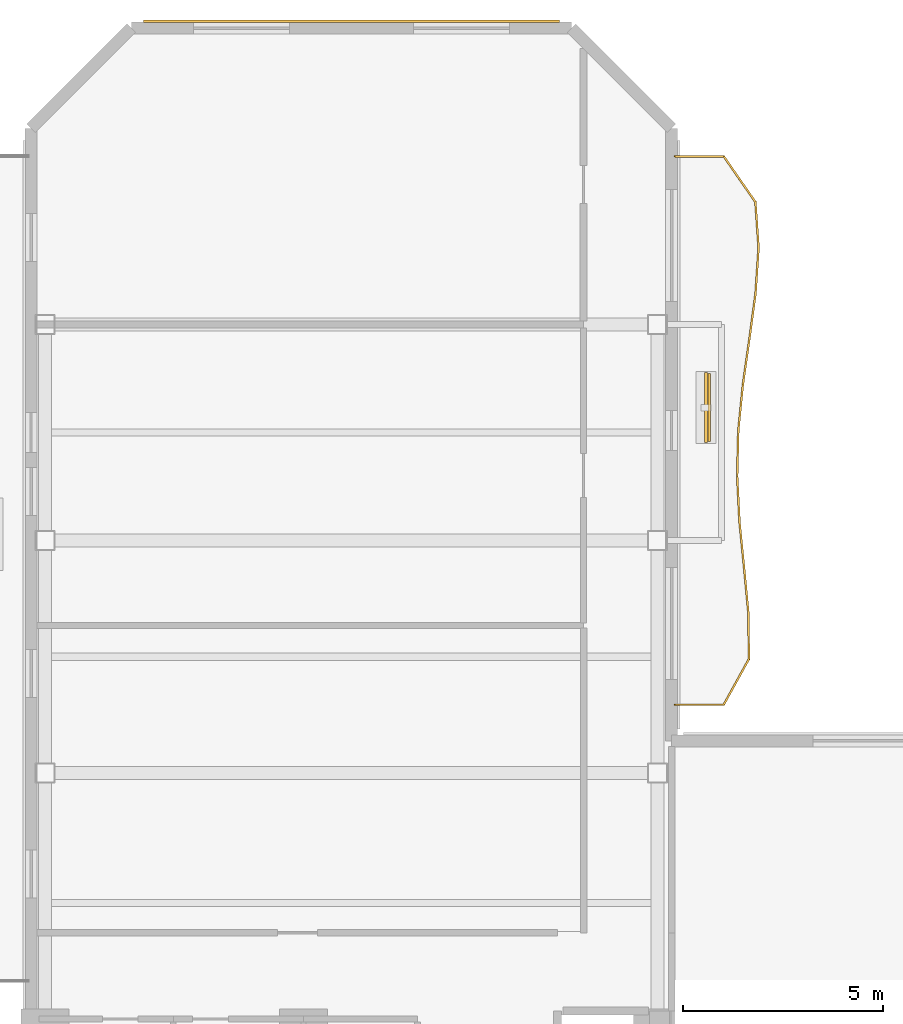
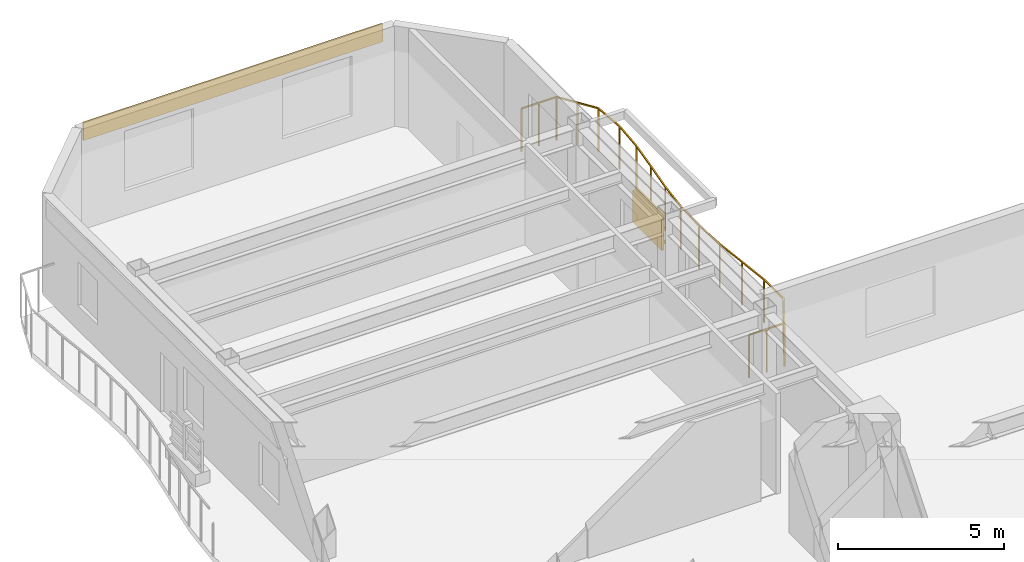
# One storey, part 11 of 11: 4 shading devices, 1 covering, 1 railing.
"""IFC4 building model written with IfcOpenShell, lengths in metres."""

from ifc_helpers import new_model, si_unit, direction, frame, origin, origin_2d, place, context, subcontext, project, spatial, rectangle, extrude, material, layer, layer_set, material_profile, profile_set, type_object, element, save


model = new_model("IFC4")

# Units and contexts
model_context = context("Model", 3, precision=1e-05, world=origin(), true_north=direction((0.0, 1.0)))
body_context = subcontext(model_context, "Body", "Model", "MODEL_VIEW")
ifc_project = project(units=[si_unit("LENGTHUNIT", "METRE"), si_unit("AREAUNIT", "SQUARE_METRE"), si_unit("VOLUMEUNIT", "CUBIC_METRE"), si_unit("PLANEANGLEUNIT", "RADIAN"), si_unit("MASSUNIT", "GRAM", prefix="KILO")], contexts=[model_context])

# Site, building, storey
site_placement = place(None, origin())
site = spatial("IfcSite", under=ifc_project, at=site_placement, CompositionType="ELEMENT")
building_placement = place(site_placement, origin())
building = spatial("IfcBuilding", under=site, at=building_placement, Name="Mawjaban Terraces University", CompositionType="ELEMENT")
storey_placement = place(building_placement, frame((0.0, 0.0, 103.39990234375)))
storey = spatial("IfcBuildingStorey", under=building, at=storey_placement, Name="L24", CompositionType="ELEMENT", Elevation=103.39990234375)

# Railing
ifc_material_1 = material(Name="Galvanised powder-coated steel S355", Category="steel")
railing_type = type_object("IfcRailingType", Name="BalconyBalustrade_1600", PredefinedType="BALUSTRADE", material=ifc_material_1)
railing_placement = place(storey_placement, frame((38.080078125, 31.699951171875, 0.0)))
element("IfcRailing", 1, at=railing_placement, inside=storey, type_object=railing_type, Name="L24 Balcony Guardrail inner_east", PredefinedType="BALUSTRADE", context=body_context, shape_type="SweptSolid", body=[
    extrude(rectangle(XDim=0.048095703125, YDim=0.048095703125, at=origin_2d()), frame((0.0, 0.0, 1.576171875), z_axis=(1.0, 0.0, 0.0), x_axis=(0.0, 1.0, 0.0)), (0.0, 0.0, 1.0), 1.219970703125),
    extrude(rectangle(XDim=0.048095703125, YDim=0.048095703125, at=origin_2d()), frame((1.219970703125, 0.0, 1.576171875), z_axis=(0.482938781998, 0.875654117127, 0.0), x_axis=(-0.875654117127, 0.482938781998, 0.0)), (0.0, 0.0, 1.0), 1.30419921875),
    extrude(rectangle(XDim=0.048095703125, YDim=0.048095703125, at=origin_2d()), frame((1.849853515625, 1.14208984375, 1.576171875), z_axis=(-0.010485192898, 0.999945028854, 0.0), x_axis=(-0.999945028854, -0.010485192898, 0.0)), (0.0, 0.0, 1.0), 1.140869140625),
    extrude(rectangle(XDim=0.048095703125, YDim=0.048095703125, at=origin_2d()), frame((1.837890625, 2.282958984375, 1.576171875), z_axis=(-0.094909515374, 0.995485903412, 0.0), x_axis=(-0.995485903412, -0.094909515374, 0.0)), (0.0, 0.0, 1.0), 1.147216796875),
    extrude(rectangle(XDim=0.048095703125, YDim=0.048095703125, at=origin_2d()), frame((1.72900390625, 3.425048828125, 1.576171875), z_axis=(-0.099335234994, 0.995054024206, 0.0), x_axis=(-0.995054024206, -0.099335234994, 0.0)), (0.0, 0.0, 1.0), 1.147705078125),
    extrude(rectangle(XDim=0.048095703125, YDim=0.048095703125, at=origin_2d()), frame((1.614990234375, 4.567138671875, 1.576171875), z_axis=(-0.050864951562, 0.998705540539, 0.0), x_axis=(-0.998705540539, -0.050864951562, 0.0)), (0.0, 0.0, 1.0), 1.142333984375),
    extrude(rectangle(XDim=0.048095703125, YDim=0.048095703125, at=origin_2d()), frame((1.556884765625, 5.7080078125, 1.576171875), z_axis=(0.024575730372, 0.999697971128, 0.0), x_axis=(-0.999697971128, 0.024575730372, 0.0)), (0.0, 0.0, 1.0), 1.142333984375),
    extrude(rectangle(XDim=0.048095703125, YDim=0.048095703125, at=origin_2d()), frame((1.5849609375, 6.85009765625, 1.576171875), z_axis=(0.099356264444, 0.995051924633, 0.0), x_axis=(-0.995051924633, 0.099356264444, 0.0)), (0.0, 0.0, 1.0), 1.1474609375),
    extrude(rectangle(XDim=0.048095703125, YDim=0.048095703125, at=origin_2d()), frame((1.698974609375, 7.991943359375, 1.576171875), z_axis=(0.141273092036, 0.989970662932, 0.0), x_axis=(-0.989970662932, 0.141273092036, 0.0)), (0.0, 0.0, 1.0), 1.152587890625),
    extrude(rectangle(XDim=0.048095703125, YDim=0.048095703125, at=origin_2d()), frame((1.86181640625, 9.133056640625, 1.576171875), z_axis=(0.133676105636, 0.991025074749, 0.0), x_axis=(-0.991025074749, 0.133676105636, 0.0)), (0.0, 0.0, 1.0), 1.15234375),
    extrude(rectangle(XDim=0.048095703125, YDim=0.048095703125, at=origin_2d()), frame((2.015869140625, 10.275146484375, 1.576171875), z_axis=(0.06656148929, 0.997782325031, 0.0), x_axis=(-0.997782325031, 0.06656148929, 0.0)), (0.0, 0.0, 1.0), 1.144287109375),
    extrude(rectangle(XDim=0.048095703125, YDim=0.048095703125, at=origin_2d()), frame((2.092041015625, 11.4169921875, 1.576171875), z_axis=(-0.070003281481, 0.9975467611, 0.0), x_axis=(-0.9975467611, -0.070003281481, 0.0)), (0.0, 0.0, 1.0), 1.143798828125),
    extrude(rectangle(XDim=0.048095703125, YDim=0.048095703125, at=origin_2d()), frame((2.011962890625, 12.55810546875, 1.576171875), z_axis=(-0.569931485344, 0.821692218543, 0.0), x_axis=(-0.821692218543, -0.569931485344, 0.0)), (0.0, 0.0, 1.0), 1.3896484375),
    extrude(rectangle(XDim=0.048095703125, YDim=0.048095703125, at=origin_2d()), frame((1.219970703125, 13.699951171875, 1.576171875), z_axis=(-1.0, 0.0, 0.0), x_axis=(0.0, -1.0, 0.0)), (0.0, 0.0, 1.0), 1.219970703125),
    extrude(rectangle(XDim=0.0419921875, YDim=0.0419921875, at=origin_2d()), origin(), (0.0, 0.0, 1.0), 1.552001953125),
    extrude(rectangle(XDim=0.0419921875, YDim=0.0419921875, at=origin_2d()), frame((0.60986328125, 0.0, 0.0)), (0.0, 0.0, 1.0), 1.552001953125),
    extrude(rectangle(XDim=0.0419921875, YDim=0.0419921875, at=origin_2d()), frame((1.219970703125, 0.0, 0.0)), (0.0, 0.0, 1.0), 1.552001953125),
    extrude(rectangle(XDim=0.0419921875, YDim=0.0419921875, at=origin_2d()), frame((1.534912109375, 0.571044921875, 0.0)), (0.0, 0.0, 1.0), 1.552001953125),
    extrude(rectangle(XDim=0.0419921875, YDim=0.0419921875, at=origin_2d()), frame((1.849853515625, 1.14208984375, 0.0)), (0.0, 0.0, 1.0), 1.552001953125),
    extrude(rectangle(XDim=0.0419921875, YDim=0.0419921875, at=origin_2d()), frame((1.837890625, 2.282958984375, 0.0)), (0.0, 0.0, 1.0), 1.552001953125),
    extrude(rectangle(XDim=0.0419921875, YDim=0.0419921875, at=origin_2d()), frame((1.72900390625, 3.425048828125, 0.0)), (0.0, 0.0, 1.0), 1.552001953125),
    extrude(rectangle(XDim=0.0419921875, YDim=0.0419921875, at=origin_2d()), frame((1.614990234375, 4.567138671875, 0.0)), (0.0, 0.0, 1.0), 1.552001953125),
    extrude(rectangle(XDim=0.0419921875, YDim=0.0419921875, at=origin_2d()), frame((1.556884765625, 5.7080078125, 0.0)), (0.0, 0.0, 1.0), 1.552001953125),
    extrude(rectangle(XDim=0.0419921875, YDim=0.0419921875, at=origin_2d()), frame((1.5849609375, 6.85009765625, 0.0)), (0.0, 0.0, 1.0), 1.552001953125),
    extrude(rectangle(XDim=0.0419921875, YDim=0.0419921875, at=origin_2d()), frame((1.698974609375, 7.991943359375, 0.0)), (0.0, 0.0, 1.0), 1.552001953125),
    extrude(rectangle(XDim=0.0419921875, YDim=0.0419921875, at=origin_2d()), frame((1.86181640625, 9.133056640625, 0.0)), (0.0, 0.0, 1.0), 1.552001953125),
    extrude(rectangle(XDim=0.0419921875, YDim=0.0419921875, at=origin_2d()), frame((2.015869140625, 10.275146484375, 0.0)), (0.0, 0.0, 1.0), 1.552001953125),
    extrude(rectangle(XDim=0.0419921875, YDim=0.0419921875, at=origin_2d()), frame((2.092041015625, 11.4169921875, 0.0)), (0.0, 0.0, 1.0), 1.552001953125),
    extrude(rectangle(XDim=0.0419921875, YDim=0.0419921875, at=origin_2d()), frame((2.011962890625, 12.55810546875, 0.0)), (0.0, 0.0, 1.0), 1.552001953125),
    extrude(rectangle(XDim=0.0419921875, YDim=0.0419921875, at=origin_2d()), frame((1.615966796875, 13.12890625, 0.0)), (0.0, 0.0, 1.0), 1.552001953125),
    extrude(rectangle(XDim=0.0419921875, YDim=0.0419921875, at=origin_2d()), frame((1.219970703125, 13.699951171875, 0.0)), (0.0, 0.0, 1.0), 1.552001953125),
    extrude(rectangle(XDim=0.0419921875, YDim=0.0419921875, at=origin_2d()), frame((0.60986328125, 13.699951171875, 0.0)), (0.0, 0.0, 1.0), 1.552001953125),
    extrude(rectangle(XDim=0.0419921875, YDim=0.0419921875, at=origin_2d()), frame((0.0, 13.699951171875, 0.0)), (0.0, 0.0, 1.0), 1.552001953125),
])

# Shading devices
ifc_material_2 = material(Name="Glazed architectural terracotta ceramic", Category="masonry")
ifc_material_profile = material_profile(ifc_material_2, rectangle(XDim=0.06494140625, YDim=0.110107421875, at=origin_2d()), Name="TBAG110X65")
ifc_profile_set = profile_set([ifc_material_profile], Name="Glazed architectural terracotta ceramic")
shading_device_type_1 = type_object("IfcShadingDeviceType", Name="TerracottaBaguette_110x65", PredefinedType="USERDEFINED", material=ifc_profile_set)
for number, where, z_axis, x_axis, name in (
    (2, (38.94091796875, 38.27099609375, 0.68017578125), (0.0, 1.0, 0.0), (-1.0, 0.0, 0.0), "L24 Horizontal Terracotta Baguette inner_east.1"),
    (3, (38.94091796875, 38.27099609375, 1.150146484375), (0.0, 1.0, 0.0), (-1.0, 0.0, 0.0), "L24 Horizontal Terracotta Baguette inner_east.2"),
    (4, (38.94091796875, 38.27099609375, 1.6201171875), (0.0, 1.0, 0.0), (-1.0, 0.0, 0.0), "L24 Horizontal Terracotta Baguette inner_east.3"),
):
    element("IfcShadingDevice", number, at=place(storey_placement, frame(where, z_axis=z_axis, x_axis=x_axis)), inside=storey, type_object=shading_device_type_1, Name=name, ObjectType="BAGUETTE", PredefinedType="USERDEFINED", context=body_context, shape_type="SweptSolid", body=[
        extrude(rectangle(XDim=0.06494140625, YDim=0.110107421875, at=origin_2d()), origin(), (0.0, 0.0, 1.0), 1.699951171875),
    ])
ifc_layer_1 = layer(ifc_material_2, 0.080078125)
ifc_layer_set_1 = layer_set([ifc_layer_1], Name="Glazed architectural terracotta ceramic")
shading_device_type_2 = type_object("IfcShadingDeviceType", Name="TerracottaScreen_Perforated", PredefinedType="USERDEFINED", material=ifc_layer_set_1)
shading_device_placement = place(storey_placement, frame((38.85595703125, 39.12109375, 0.440185546875), z_axis=(0.0, 0.0, 1.0), x_axis=(0.0, 1.0, 0.0)))
element("IfcShadingDevice", 5, at=shading_device_placement, inside=storey, type_object=shading_device_type_2, Name="L24 Balcony Perforated Terracotta Screen inner_east", ObjectType="SCREEN", PredefinedType="USERDEFINED", context=body_context, shape_type="SweptSolid", body=[
    extrude(rectangle(XDim=1.75, YDim=0.080078125, at=origin_2d()), origin(), (0.0, 0.0, 1.0), 1.14990234375),
])

# Covering
ifc_material_3 = material(Name="Glazed architectural terracotta rainscreen", Category="masonry")
ifc_layer_2 = layer(ifc_material_3, 0.06005859375)
ifc_layer_set_2 = layer_set([ifc_layer_2], Name="Glazed architectural terracotta rainscreen")
covering_type = type_object("IfcCoveringType", Name="TerracottaSpandrelCladding_60", PredefinedType="CLADDING", material=ifc_layer_set_2)
covering_placement = place(storey_placement, frame((30.0, 48.77490234375, 3.01513671875), z_axis=(0.0, 0.0, 1.0), x_axis=(-1.0, 0.0, 0.0)))
element("IfcCovering", 6, at=covering_placement, inside=storey, type_object=covering_type, Name="L24 Terracotta Spandrel Cladding 11", PredefinedType="CLADDING", context=body_context, shape_type="SweptSolid", body=[
    extrude(rectangle(XDim=10.39990234375, YDim=0.06005859375, at=origin_2d()), origin(), (0.0, 0.0, 1.0), 0.64990234375),
])

save(model, "model.ifc")
